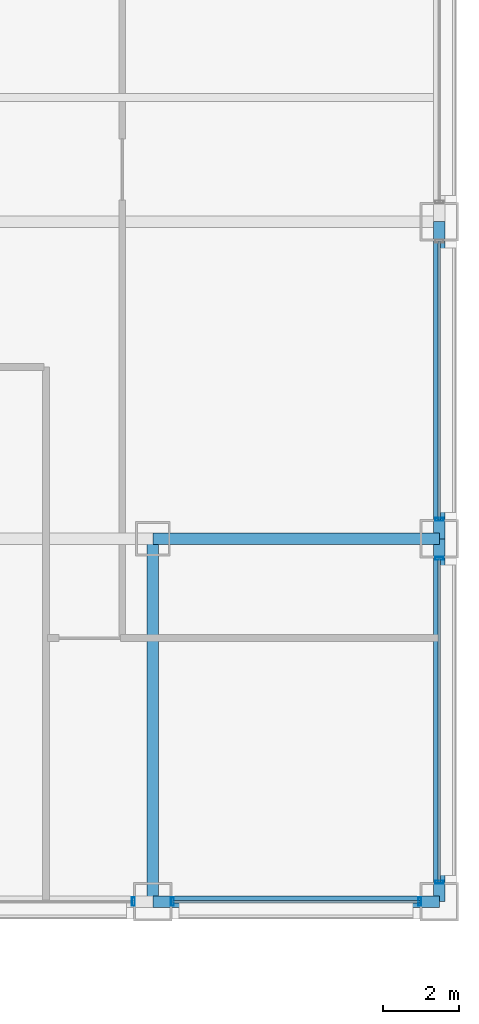
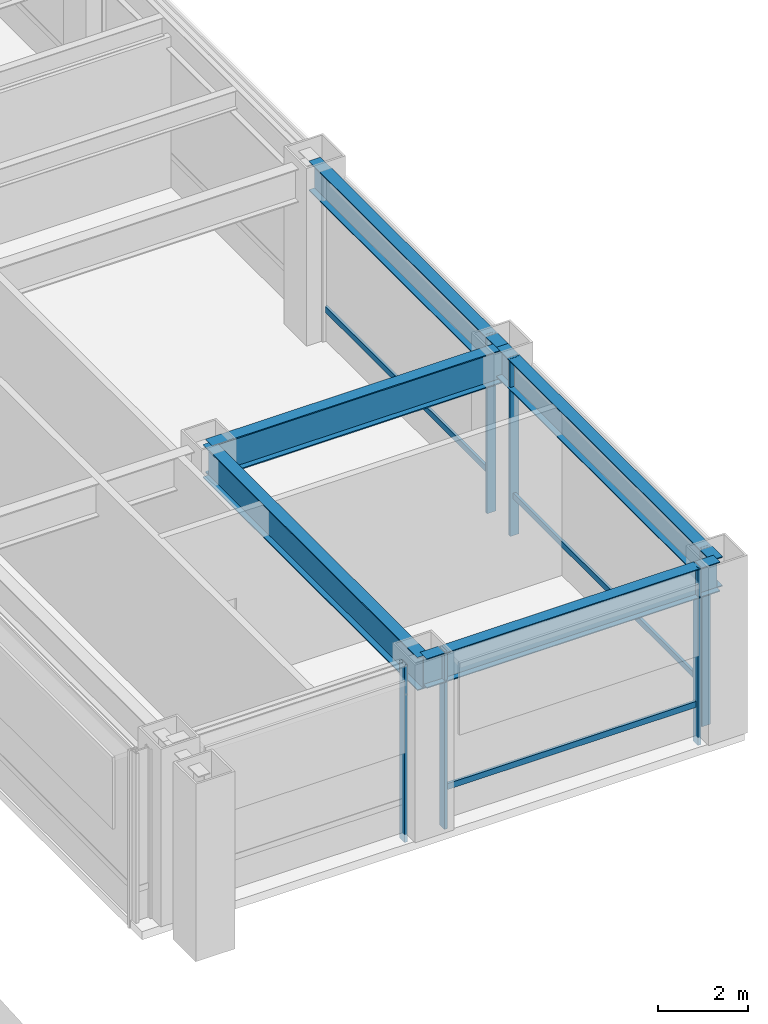
# One storey, part 12 of 42: 9 members, 5 beams, 4 elements without a shape of their own.
"""IFC4 building model written with IfcOpenShell, lengths in metres."""

from ifc_helpers import new_model, si_unit, direction, frame, origin, origin_2d, place, context, subcontext, project, spatial, hollow_rectangle, i_section, extrude, material, layer, layer_set, material_profile, profile_set, type_object, element, aggregate, save


model = new_model("IFC4")

# Units and contexts
model_context = context("Model", 3, precision=1e-05, world=origin(), true_north=direction((0.0, 1.0)))
body_context = subcontext(model_context, "Body", "Model", "MODEL_VIEW")
ifc_project = project(units=[si_unit("LENGTHUNIT", "METRE"), si_unit("AREAUNIT", "SQUARE_METRE"), si_unit("VOLUMEUNIT", "CUBIC_METRE"), si_unit("PLANEANGLEUNIT", "RADIAN"), si_unit("MASSUNIT", "GRAM", prefix="KILO")], contexts=[model_context])

# Site, building, storey
site_placement = place(None, origin())
site = spatial("IfcSite", under=ifc_project, at=site_placement, CompositionType="ELEMENT")
building_placement = place(site_placement, origin())
building = spatial("IfcBuilding", under=site, at=building_placement, Name="Brelmoor Portico Tower", CompositionType="ELEMENT")
storey_placement = place(building_placement, frame((0.0, 0.0, 9.60009765625)))
storey = spatial("IfcBuildingStorey", under=building, at=storey_placement, Name="L02", CompositionType="ELEMENT", Elevation=9.60009765625)

# Beams
ifc_material_1 = material(Name="Steel Q355B", Category="steel")
ifc_material_profile_1 = material_profile(ifc_material_1, i_section(OverallWidth=0.300048828125, OverallDepth=0.89990234375, WebThickness=0.01611328125, FlangeThickness=0.028076171875, at=origin_2d()), Name="HN 900x300x16x28")
ifc_profile_set_1 = profile_set([ifc_material_profile_1], Name="Steel Q355B")
beam_type_1 = type_object("IfcBeamType", Name="BM-PG-900", PredefinedType="BEAM", material=ifc_profile_set_1)
beam_1_placement = place(storey_placement, frame((21.050048828125, -27.550048828125, 4.1298828125), z_axis=(0.0, 1.0, 0.0), x_axis=(-1.0, 0.0, 0.0)))
element("IfcBeam", 1, at=beam_1_placement, inside=storey, type_object=beam_type_1, Name="L02 Primary Floor Girder PG-19", PredefinedType="BEAM", context=body_context, shape_type="SweptSolid", body=[
    extrude(i_section(OverallWidth=0.300048828125, OverallDepth=0.89990234375, WebThickness=0.01611328125, FlangeThickness=0.028076171875, at=origin_2d()), origin(), (0.0, 0.0, 1.0), 9.5),
])
beam_2_placement = place(storey_placement, frame((21.050048828125, -18.050048828125, 4.1298828125), z_axis=(1.0, 0.0, 0.0), x_axis=(0.0, 1.0, 0.0)))
element("IfcBeam", 2, at=beam_2_placement, inside=storey, type_object=beam_type_1, Name="L02 Primary Floor Girder PG-24", PredefinedType="BEAM", context=body_context, shape_type="SweptSolid", body=[
    extrude(i_section(OverallWidth=0.300048828125, OverallDepth=0.89990234375, WebThickness=0.01611328125, FlangeThickness=0.028076171875, at=origin_2d()), origin(), (0.0, 0.0, 1.0), 7.5),
])
ifc_material_profile_2 = material_profile(ifc_material_1, i_section(OverallWidth=0.300048828125, OverallDepth=0.800048828125, WebThickness=0.013916015625, FlangeThickness=0.02587890625, at=origin_2d()), Name="HN 800x300x14x26")
ifc_profile_set_2 = profile_set([ifc_material_profile_2], Name="Steel Q355B")
beam_type_2 = type_object("IfcBeamType", Name="BM-SP-800", PredefinedType="SPANDREL", material=ifc_profile_set_2)
beam_3_placement = place(storey_placement, frame((21.050048828125, -27.550048828125, 4.179931640625), z_axis=(1.0, 0.0, 0.0), x_axis=(0.0, 1.0, 0.0)))
element("IfcBeam", 3, at=beam_3_placement, inside=storey, type_object=beam_type_2, Name="L02 Perimeter Spandrel Beam SP-04", PredefinedType="SPANDREL", context=body_context, shape_type="SweptSolid", body=[
    extrude(i_section(OverallWidth=0.300048828125, OverallDepth=0.800048828125, WebThickness=0.013916015625, FlangeThickness=0.02587890625, at=origin_2d()), origin(), (0.0, 0.0, 1.0), 7.5),
])
beam_4_placement = place(storey_placement, frame((28.550048828125, -27.550048828125, 4.179931640625), z_axis=(0.0, 1.0, 0.0), x_axis=(-1.0, 0.0, 0.0)))
element("IfcBeam", 4, at=beam_4_placement, inside=storey, type_object=beam_type_2, Name="L02 Perimeter Spandrel Beam SP-15", PredefinedType="SPANDREL", context=body_context, shape_type="SweptSolid", body=[
    extrude(i_section(OverallWidth=0.300048828125, OverallDepth=0.800048828125, WebThickness=0.013916015625, FlangeThickness=0.02587890625, at=origin_2d()), origin(), (0.0, 0.0, 1.0), 9.5),
])
beam_5_placement = place(storey_placement, frame((28.550048828125, -18.050048828125, 4.179931640625), z_axis=(0.0, 1.0, 0.0), x_axis=(-1.0, 0.0, 0.0)))
element("IfcBeam", 5, at=beam_5_placement, inside=storey, type_object=beam_type_2, Name="L02 Perimeter Spandrel Beam SP-16", PredefinedType="SPANDREL", context=body_context, shape_type="SweptSolid", body=[
    extrude(i_section(OverallWidth=0.300048828125, OverallDepth=0.800048828125, WebThickness=0.013916015625, FlangeThickness=0.02587890625, at=origin_2d()), origin(), (0.0, 0.0, 1.0), 8.300048828125),
])

# Curtain wall, member
ifc_material_2 = material(Name="Anodised Aluminium Alloy 6063-T6", Category="aluminium")
ifc_layer = layer(ifc_material_2, 0.179931640625)
ifc_layer_set = layer_set([ifc_layer], Name="Anodised Aluminium Alloy 6063-T6")
curtain_wall_type = type_object("IfcCurtainWallType", Name="CW-PODIUM-ARCH", PredefinedType="NOTDEFINED", material=ifc_layer_set)
curtain_wall_1_placement = place(storey_placement, origin())
curtain_wall_1 = element("IfcCurtainWall", 6, at=curtain_wall_1_placement, inside=storey, type_object=curtain_wall_type, Name="L02 Curtain Wall CW-L02-02-2", PredefinedType="NOTDEFINED")
ifc_material_profile_3 = material_profile(ifc_material_2, hollow_rectangle(XDim=0.074951171875, YDim=0.219970703125, WallThickness=0.0048828125, at=origin_2d()), Name="ALU MULLION 75x220")
ifc_profile_set_3 = profile_set([ifc_material_profile_3], Name="Anodised Aluminium Alloy 6063-T6")
member_type_1 = type_object("IfcMemberType", Name="MB-CW-MULL-220", PredefinedType="MULLION", material=ifc_profile_set_3)
member_1_placement = place(storey_placement, frame((20.5400390625, -27.550048828125, -0.22021484375), z_axis=(0.0, 0.0, 1.0), x_axis=(1.0, 0.0, 0.0)))
member_1 = element("IfcMember", 7, at=member_1_placement, type_object=member_type_1, Name="CW-L02-02-2 Mullion 01", PredefinedType="MULLION", context=body_context, shape_type="SweptSolid", body=[
    extrude(hollow_rectangle(XDim=0.074951171875, YDim=0.219970703125, WallThickness=0.0048828125, at=origin_2d()), origin(), (0.0, 0.0, 1.0), 4.800048828125),
])
aggregate(curtain_wall_1, [member_1])

# Curtain wall, members
curtain_wall_2_placement = place(storey_placement, origin())
curtain_wall_2 = element("IfcCurtainWall", 8, at=curtain_wall_2_placement, inside=storey, type_object=curtain_wall_type, Name="L02 Curtain Wall CW-L02-02-3", PredefinedType="NOTDEFINED")
member_2_placement = place(storey_placement, frame((21.56005859375, -27.550048828125, -0.22021484375), z_axis=(0.0, 0.0, 1.0), x_axis=(1.0, 0.0, 0.0)))
member_2 = element("IfcMember", 9, at=member_2_placement, type_object=member_type_1, Name="CW-L02-02-3 Mullion 00", PredefinedType="MULLION", context=body_context, shape_type="SweptSolid", body=[
    extrude(hollow_rectangle(XDim=0.074951171875, YDim=0.219970703125, WallThickness=0.0048828125, at=origin_2d()), origin(), (0.0, 0.0, 1.0), 4.800048828125),
])
member_3_placement = place(storey_placement, frame((28.0400390625, -27.550048828125, -0.22021484375), z_axis=(0.0, 0.0, 1.0), x_axis=(1.0, 0.0, 0.0)))
member_3 = element("IfcMember", 10, at=member_3_placement, type_object=member_type_1, Name="CW-L02-02-3 Mullion 01", PredefinedType="MULLION", context=body_context, shape_type="SweptSolid", body=[
    extrude(hollow_rectangle(XDim=0.074951171875, YDim=0.219970703125, WallThickness=0.0048828125, at=origin_2d()), origin(), (0.0, 0.0, 1.0), 4.800048828125),
])

curtain_wall_3_placement = place(storey_placement, origin())
curtain_wall_3 = element("IfcCurtainWall", 11, at=curtain_wall_3_placement, inside=storey, type_object=curtain_wall_type, Name="L02 Curtain Wall CW-L02-06-1", PredefinedType="NOTDEFINED")
member_4_placement = place(storey_placement, frame((28.550048828125, -27.0400390625, -0.22021484375), z_axis=(0.0, 0.0, 1.0), x_axis=(0.0, 1.0, 0.0)))
member_4 = element("IfcMember", 12, at=member_4_placement, type_object=member_type_1, Name="CW-L02-06-1 Mullion 00", PredefinedType="MULLION", context=body_context, shape_type="SweptSolid", body=[
    extrude(hollow_rectangle(XDim=0.074951171875, YDim=0.219970703125, WallThickness=0.0048828125, at=origin_2d()), origin(), (0.0, 0.0, 1.0), 4.800048828125),
])
member_5_placement = place(storey_placement, frame((28.550048828125, -18.56005859375, -0.22021484375), z_axis=(0.0, 0.0, 1.0), x_axis=(0.0, 1.0, 0.0)))
member_5 = element("IfcMember", 13, at=member_5_placement, type_object=member_type_1, Name="CW-L02-06-1 Mullion 01", PredefinedType="MULLION", context=body_context, shape_type="SweptSolid", body=[
    extrude(hollow_rectangle(XDim=0.074951171875, YDim=0.219970703125, WallThickness=0.0048828125, at=origin_2d()), origin(), (0.0, 0.0, 1.0), 4.800048828125),
])

# Curtain wall, member
curtain_wall_4_placement = place(storey_placement, origin())
curtain_wall_4 = element("IfcCurtainWall", 14, at=curtain_wall_4_placement, inside=storey, type_object=curtain_wall_type, Name="L02 Curtain Wall CW-L02-06-2", PredefinedType="NOTDEFINED")
member_6_placement = place(storey_placement, frame((28.550048828125, -17.5400390625, -0.22021484375), z_axis=(0.0, 0.0, 1.0), x_axis=(0.0, 1.0, 0.0)))
member_6 = element("IfcMember", 15, at=member_6_placement, type_object=member_type_1, Name="CW-L02-06-2 Mullion 00", PredefinedType="MULLION", context=body_context, shape_type="SweptSolid", body=[
    extrude(hollow_rectangle(XDim=0.074951171875, YDim=0.219970703125, WallThickness=0.0048828125, at=origin_2d()), origin(), (0.0, 0.0, 1.0), 4.800048828125),
])

# Member
ifc_material_profile_4 = material_profile(ifc_material_2, hollow_rectangle(XDim=0.070068359375, YDim=0.159912109375, WallThickness=0.00390625, at=origin_2d()), Name="ALU TRANSOM 70x160")
ifc_profile_set_4 = profile_set([ifc_material_profile_4], Name="Anodised Aluminium Alloy 6063-T6")
member_type_2 = type_object("IfcMemberType", Name="MB-CW-TRAN-160", PredefinedType="USERDEFINED", material=ifc_profile_set_4)
member_7_placement = place(storey_placement, frame((21.56005859375, -27.550048828125, 0.849853515625), z_axis=(1.0, 0.0, 0.0), x_axis=(0.0, 1.0, 0.0)))
member_7 = element("IfcMember", 16, at=member_7_placement, type_object=member_type_2, Name="CW-L02-02-3 Transom 1-00", ObjectType="TRANSOM", PredefinedType="USERDEFINED", context=body_context, shape_type="SweptSolid", body=[
    extrude(hollow_rectangle(XDim=0.070068359375, YDim=0.159912109375, WallThickness=0.00390625, at=origin_2d()), origin(), (0.0, 0.0, 1.0), 6.47998046875),
])

aggregate(curtain_wall_2, [member_2, member_3, member_7])

member_8_placement = place(storey_placement, frame((28.550048828125, -27.0400390625, 0.849853515625), z_axis=(0.0, 1.0, 0.0), x_axis=(-1.0, 0.0, 0.0)))
member_8 = element("IfcMember", 17, at=member_8_placement, type_object=member_type_2, Name="CW-L02-06-1 Transom 1-00", ObjectType="TRANSOM", PredefinedType="USERDEFINED", context=body_context, shape_type="SweptSolid", body=[
    extrude(hollow_rectangle(XDim=0.070068359375, YDim=0.159912109375, WallThickness=0.00390625, at=origin_2d()), origin(), (0.0, 0.0, 1.0), 8.47998046875),
])

aggregate(curtain_wall_3, [member_4, member_5, member_8])

member_9_placement = place(storey_placement, frame((28.550048828125, -17.5400390625, 0.849853515625), z_axis=(0.0, 1.0, 0.0), x_axis=(-1.0, 0.0, 0.0)))
member_9 = element("IfcMember", 18, at=member_9_placement, type_object=member_type_2, Name="CW-L02-06-2 Transom 1-00", ObjectType="TRANSOM", PredefinedType="USERDEFINED", context=body_context, shape_type="SweptSolid", body=[
    extrude(hollow_rectangle(XDim=0.070068359375, YDim=0.159912109375, WallThickness=0.00390625, at=origin_2d()), origin(), (0.0, 0.0, 1.0), 7.280029296875),
])

aggregate(curtain_wall_4, [member_6, member_9])

save(model, "model.ifc")
